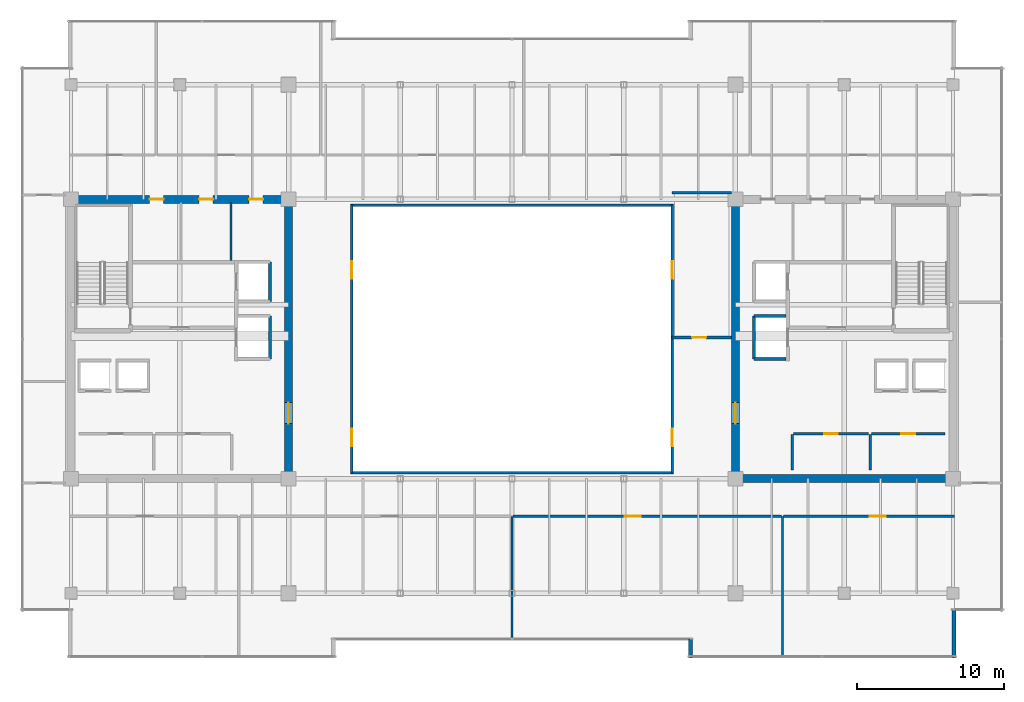
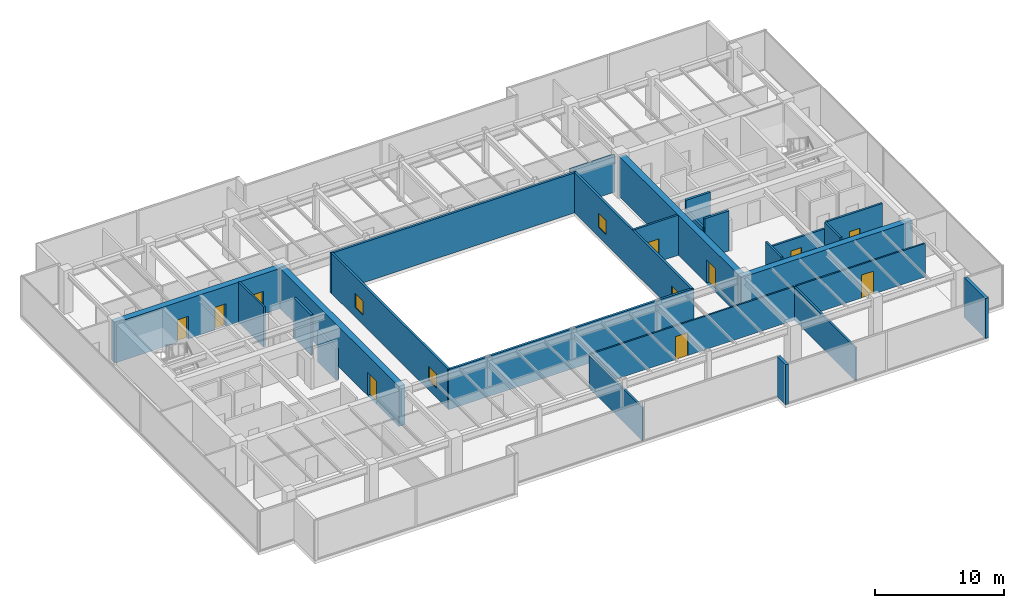
# One storey, part 29 of 36: 26 walls, 10 doors, 4 windows, 14 openings.
"""IFC4 building model written with IfcOpenShell, lengths in metres."""

from ifc_helpers import new_model, si_unit, direction, frame, frame_2d, origin, place, context, subcontext, project, spatial, rectangle, extrude, source, transform, mapped, material, layer, layer_set, type_object, type_shapes, element, fill, save


model = new_model("IFC4")

# Units and contexts
model_context = context("Model", 3, precision=1e-05, world=origin(), true_north=direction((0.0, 1.0)))
body_context = subcontext(model_context, "Body", "Model", "MODEL_VIEW")
ifc_project = project(units=[si_unit("LENGTHUNIT", "METRE"), si_unit("AREAUNIT", "SQUARE_METRE"), si_unit("VOLUMEUNIT", "CUBIC_METRE"), si_unit("PLANEANGLEUNIT", "RADIAN"), si_unit("MASSUNIT", "GRAM", prefix="KILO")], contexts=[model_context])

# Site, building, storey
site_placement = place(None, origin())
site = spatial("IfcSite", under=ifc_project, at=site_placement, CompositionType="ELEMENT")
building_placement = place(site_placement, origin())
building = spatial("IfcBuilding", under=site, at=building_placement, Name="Haelvirn Gate Laboratories", CompositionType="ELEMENT")
storey_placement = place(building_placement, frame((0.0, 0.0, 254.699951171875)))
storey = spatial("IfcBuildingStorey", under=building, at=storey_placement, Name="L61", CompositionType="ELEMENT", Elevation=254.699951171875)

# Walls
ifc_material_1 = material(Name="Thermally-broken bronze aluminium rainscreen & mineral wool", Category="aluminium")
ifc_layer_1 = layer(ifc_material_1, 0.280029296875, Name="EW-TERR-280")
ifc_layer_set_1 = layer_set([ifc_layer_1], Name="Thermally-broken bronze aluminium rainscreen & mineral wool")
wall_type_1 = type_object("IfcWallType", Name="EW-TERR-280", PredefinedType="STANDARD", material=ifc_layer_set_1)
wall_1_placement = place(storey_placement, frame((49.5400390625, 3.89306640625, 0.0), z_axis=(0.0, 0.0, 1.0), x_axis=(0.0, -1.0, 0.0)))
element("IfcWall", 1, at=wall_1_placement, inside=storey, type_object=wall_type_1, Name="L61 Atrium Recess Bronze Return Wall 03", PredefinedType="STANDARD", context=body_context, shape_type="SweptSolid", body=[
    extrude(rectangle(XDim=1.29296875, YDim=0.280029296875, at=frame_2d((0.646484375, 0.0))), origin(), (0.0, 0.0, 1.0), 3.800048828125),
])
wall_2_placement = place(storey_placement, frame((67.4599609375, 2.60009765625, 0.0), z_axis=(0.0, 0.0, 1.0), x_axis=(0.0, 1.0, 0.0)))
element("IfcWall", 2, at=wall_2_placement, inside=storey, type_object=wall_type_1, Name="L61 Atrium Recess Bronze Return Wall 05", PredefinedType="STANDARD", context=body_context, shape_type="SweptSolid", body=[
    extrude(rectangle(XDim=3.287841796875, YDim=0.280029296875, at=frame_2d((1.64404296875, 0.0))), origin(), (0.0, 0.0, 1.0), 3.800048828125),
])
ifc_material_2 = material(Name="Double-layer acoustic gypsum laboratory partition", Category="gypsum")
ifc_layer_2 = layer(ifc_material_2, 0.159912109375, Name="IW-ACOUST-160")
ifc_layer_set_2 = layer_set([ifc_layer_2], Name="Double-layer acoustic gypsum laboratory partition")
wall_type_2 = type_object("IfcWallType", Name="IW-ACOUST-160", PredefinedType="PARTITIONING", material=ifc_layer_set_2)
wall_3_placement = place(storey_placement, frame((37.39990234375, 3.909912109375, 0.0), z_axis=(0.0, 0.0, 1.0), x_axis=(0.0, 1.0, 0.0)))
element("IfcWall", 3, at=wall_3_placement, inside=storey, type_object=wall_type_2, Name="L61 Interior Wall IW-L61-SDIV-02", PredefinedType="PARTITIONING", context=body_context, shape_type="SweptSolid", body=[
    extrude(rectangle(XDim=8.330078125, YDim=0.159912109375, at=frame_2d((4.1650390625, 0.0))), origin(), (0.0, 0.0, 1.0), 3.135009765625),
])
wall_4_placement = place(storey_placement, frame((55.800048828125, 2.7099609375, 0.0), z_axis=(0.0, 0.0, 1.0), x_axis=(0.0, 1.0, 0.0)))
element("IfcWall", 4, at=wall_4_placement, inside=storey, type_object=wall_type_2, Name="L61 Interior Wall IW-L61-SDIV-03", PredefinedType="PARTITIONING", context=body_context, shape_type="SweptSolid", body=[
    extrude(rectangle(XDim=9.530029296875, YDim=0.159912109375, at=frame_2d((4.76513671875, 0.0))), origin(), (0.0, 0.0, 1.0), 3.135009765625),
])
ifc_material_3 = material(Name="Fire-rated acoustic gypsum board partition", Category="gypsum")
ifc_layer_3 = layer(ifc_material_3, 0.175048828125, Name="IW-ACOUST-180")
ifc_layer_set_3 = layer_set([ifc_layer_3], Name="Fire-rated acoustic gypsum board partition")
wall_type_3 = type_object("IfcWallType", Name="IW-ACOUST-180", PredefinedType="PARTITIONING", material=ifc_layer_set_3)
wall_5_placement = place(storey_placement, frame((48.300048828125, 34.260009765625, 0.0), z_axis=(0.0, 0.0, 1.0), x_axis=(1.0, 0.0, 0.0)))
element("IfcWall", 5, at=wall_5_placement, inside=storey, type_object=wall_type_3, Name="L61 Interior Wall IW-L61-EPOD-N", PredefinedType="PARTITIONING", context=body_context, shape_type="SweptSolid", body=[
    extrude(rectangle(XDim=4.02490234375, YDim=0.175048828125, at=frame_2d((2.012451171875, 0.0))), origin(), (0.0, 0.0, 1.0), 3.53515625),
])

# Wall, opening, door
wall_6_placement = place(storey_placement, frame((48.300048828125, 24.39990234375, 0.0), z_axis=(0.0, 0.0, 1.0), x_axis=(1.0, 0.0, 0.0)))
wall_6 = element("IfcWall", 6, at=wall_6_placement, inside=storey, type_object=wall_type_3, Name="L61 Interior Wall IW-L61-EPOD-S", PredefinedType="PARTITIONING", context=body_context, shape_type="SweptSolid", body=[
    extrude(rectangle(XDim=4.02490234375, YDim=0.175048828125, at=frame_2d((2.012451171875, 0.0))), origin(), (0.0, 0.0, 1.0), 3.800048828125),
])
opening_1_placement = place(wall_6_placement, frame((1.35009765625, 0.0, 0.0)))
opening_1 = element("IfcOpeningElement", 7, at=opening_1_placement, cuts=wall_6, Name="Opening FD4", PredefinedType="OPENING", context=body_context, shape_type="SweptSolid", body=[
    extrude(rectangle(XDim=0.949951171875, YDim=2.14990234375, at=frame_2d((0.47509765625, 1.074951171875))), frame((0.0, 0.09765625, 0.0), z_axis=(0.0, -1.0, 0.0), x_axis=(1.0, 0.0, 0.0)), (0.0, 0.0, 1.0), 0.195068359375),
])
ifc_material_4 = material(Name="Fire-rated steel SM355 core service door", Category="steel")
door_type_1 = type_object("IfcDoorType", Name="DR-FD-950", OperationType="NOTDEFINED", PredefinedType="DOOR", material=ifc_material_4)
shared_shape_1 = source(origin(), body_context, "Body", "SweptSolid", [
    extrude(rectangle(XDim=0.949951171875, YDim=2.14990234375, at=frame_2d((0.47509765625, 1.074951171875))), frame((0.0, 0.02490234375, 0.0), z_axis=(0.0, -1.0, 0.0), x_axis=(1.0, 0.0, 0.0)), (0.0, 0.0, 1.0), 0.050048828125),
])
type_shapes(door_type_1, [shared_shape_1])
door_1_placement = place(opening_1_placement, origin())
door_1 = element("IfcDoor", 8, at=door_1_placement, inside=storey, type_object=door_type_1, Name="L61 High-Zone Collaboration Suite Door", OperationType="SINGLE_SWING_LEFT", OverallHeight=2.14990234375, OverallWidth=0.949951171875, PredefinedType="DOOR", context=body_context, shape_type="MappedRepresentation", body=[
    mapped(shared_shape_1, transform((0.0, 0.0, 0.0), scale=1.0)),
])
fill(opening_1, door_1)

# Wall, openings, windows
ifc_material_5 = material(Name="Tempered fire-rated borosilicate glass & anodised aluminium", Category="aluminium")
ifc_layer_4 = layer(ifc_material_5, 0.195068359375, Name="IW-GLAZ-200")
ifc_layer_set_4 = layer_set([ifc_layer_4], Name="Tempered fire-rated borosilicate glass & anodised aluminium")
wall_type_4 = type_object("IfcWallType", Name="IW-GLAZ-200", PredefinedType="SOLIDWALL", material=ifc_layer_set_4)
wall_7_placement = place(storey_placement, frame((26.5, 15.199951171875, 0.0), z_axis=(0.0, 0.0, 1.0), x_axis=(0.0, 1.0, 0.0)))
wall_7 = element("IfcWall", 9, at=wall_7_placement, inside=storey, type_object=wall_type_4, Name="L61 Interior Wall IW-L61-ATRIUM-W", PredefinedType="SOLIDWALL", context=body_context, shape_type="SweptSolid", body=[
    extrude(rectangle(XDim=18.199951171875, YDim=0.195068359375, at=frame_2d((9.10009765625, 0.0))), origin(), (0.0, 0.0, 1.0), 3.800048828125),
])
opening_2_placement = place(wall_7_placement, frame((1.800048828125, 0.0, 0.89990234375)))
opening_2 = element("IfcOpeningElement", 10, at=opening_2_placement, cuts=wall_7, Name="Opening W6", PredefinedType="OPENING", context=body_context, shape_type="SweptSolid", body=[
    extrude(rectangle(XDim=1.199951171875, YDim=1.35009765625, at=frame_2d((0.60009765625, 0.675048828125))), frame((0.0, 0.107421875, 0.0), z_axis=(0.0, -1.0, 0.0), x_axis=(1.0, 0.0, 0.0)), (0.0, 0.0, 1.0), 0.215087890625),
])
opening_3_placement = place(wall_7_placement, frame((13.199951171875, 0.0, 0.89990234375)))
opening_3 = element("IfcOpeningElement", 11, at=opening_3_placement, cuts=wall_7, Name="Opening W6", PredefinedType="OPENING", context=body_context, shape_type="SweptSolid", body=[
    extrude(rectangle(XDim=1.199951171875, YDim=1.35009765625, at=frame_2d((0.60009765625, 0.675048828125))), frame((0.0, 0.107421875, 0.0), z_axis=(0.0, -1.0, 0.0), x_axis=(1.0, 0.0, 0.0)), (0.0, 0.0, 1.0), 0.215087890625),
])
ifc_material_6 = material(Name="Fire-rated EI 120 borosilicate atrium vision glazing", Category="glass")
window_type = type_object("IfcWindowType", Name="WN-ATR-1200", PartitioningType="SINGLE_PANEL", PredefinedType="WINDOW", material=ifc_material_6)
shared_shape_2 = source(origin(), body_context, "Body", "SweptSolid", [
    extrude(rectangle(XDim=1.199951171875, YDim=1.35009765625, at=frame_2d((0.60009765625, 0.675048828125))), frame((0.0, 0.030029296875, 0.0), z_axis=(0.0, -1.0, 0.0), x_axis=(1.0, 0.0, 0.0)), (0.0, 0.0, 1.0), 0.06005859375),
])
type_shapes(window_type, [shared_shape_2])
window_1_placement = place(opening_2_placement, origin())
window_1 = element("IfcWindow", 12, at=window_1_placement, inside=storey, type_object=window_type, Name="L61 Atrium Observation Window 1", OverallHeight=1.35009765625, OverallWidth=1.199951171875, PartitioningType="SINGLE_PANEL", PredefinedType="WINDOW", context=body_context, shape_type="MappedRepresentation", body=[
    mapped(shared_shape_2, transform((0.0, 0.0, 0.0), scale=1.0)),
])
fill(opening_2, window_1)
window_2_placement = place(opening_3_placement, origin())
window_2 = element("IfcWindow", 13, at=window_2_placement, inside=storey, type_object=window_type, Name="L61 Atrium Observation Window 2", OverallHeight=1.35009765625, OverallWidth=1.199951171875, PartitioningType="SINGLE_PANEL", PredefinedType="WINDOW", context=body_context, shape_type="MappedRepresentation", body=[
    mapped(shared_shape_2, transform((0.0, 0.0, 0.0), scale=1.0)),
])
fill(opening_3, window_2)

wall_8_placement = place(storey_placement, frame((48.300048828125, 15.199951171875, 0.0), z_axis=(0.0, 0.0, 1.0), x_axis=(0.0, 1.0, 0.0)))
wall_8 = element("IfcWall", 14, at=wall_8_placement, inside=storey, type_object=wall_type_4, Name="L61 Interior Wall IW-L61-ATRIUM-E", PredefinedType="SOLIDWALL", context=body_context, shape_type="SweptSolid", body=[
    extrude(rectangle(XDim=18.199951171875, YDim=0.195068359375, at=frame_2d((9.10009765625, 0.0))), origin(), (0.0, 0.0, 1.0), 3.800048828125),
])
opening_4_placement = place(wall_8_placement, frame((1.800048828125, 0.0, 0.89990234375)))
opening_4 = element("IfcOpeningElement", 15, at=opening_4_placement, cuts=wall_8, Name="Opening W6", PredefinedType="OPENING", context=body_context, shape_type="SweptSolid", body=[
    extrude(rectangle(XDim=1.199951171875, YDim=1.35009765625, at=frame_2d((0.60009765625, 0.675048828125))), frame((0.0, 0.107421875, 0.0), z_axis=(0.0, -1.0, 0.0), x_axis=(1.0, 0.0, 0.0)), (0.0, 0.0, 1.0), 0.215087890625),
])
opening_5_placement = place(wall_8_placement, frame((13.199951171875, 0.0, 0.89990234375)))
opening_5 = element("IfcOpeningElement", 16, at=opening_5_placement, cuts=wall_8, Name="Opening W6", PredefinedType="OPENING", context=body_context, shape_type="SweptSolid", body=[
    extrude(rectangle(XDim=1.199951171875, YDim=1.35009765625, at=frame_2d((0.60009765625, 0.675048828125))), frame((0.0, 0.107421875, 0.0), z_axis=(0.0, -1.0, 0.0), x_axis=(1.0, 0.0, 0.0)), (0.0, 0.0, 1.0), 0.215087890625),
])
window_3_placement = place(opening_4_placement, origin())
window_3 = element("IfcWindow", 17, at=window_3_placement, inside=storey, type_object=window_type, Name="L61 Atrium Observation Window 1", OverallHeight=1.35009765625, OverallWidth=1.199951171875, PartitioningType="SINGLE_PANEL", PredefinedType="WINDOW", context=body_context, shape_type="MappedRepresentation", body=[
    mapped(shared_shape_2, transform((0.0, 0.0, 0.0), scale=1.0)),
])
fill(opening_4, window_3)
window_4_placement = place(opening_5_placement, origin())
window_4 = element("IfcWindow", 18, at=window_4_placement, inside=storey, type_object=window_type, Name="L61 Atrium Observation Window 2", OverallHeight=1.35009765625, OverallWidth=1.199951171875, PartitioningType="SINGLE_PANEL", PredefinedType="WINDOW", context=body_context, shape_type="MappedRepresentation", body=[
    mapped(shared_shape_2, transform((0.0, 0.0, 0.0), scale=1.0)),
])
fill(opening_5, window_4)

# Walls
for number, where, z_axis, x_axis, name in (
    (19, (26.39990234375, 15.199951171875, 0.0), (0.0, 0.0, 1.0), (1.0, 0.0, 0.0), "L61 Interior Wall IW-L61-ATRIUM-S"),
    (20, (26.39990234375, 33.39990234375, 0.0), (0.0, 0.0, 1.0), (1.0, 0.0, 0.0), "L61 Interior Wall IW-L61-ATRIUM-N"),
):
    element("IfcWall", number, at=place(storey_placement, frame(where, z_axis=z_axis, x_axis=x_axis)), inside=storey, type_object=wall_type_4, Name=name, PredefinedType="SOLIDWALL", context=body_context, shape_type="SweptSolid", body=[
        extrude(rectangle(XDim=22.0, YDim=0.195068359375, at=frame_2d((11.0, 0.0))), origin(), (0.0, 0.0, 1.0), 3.800048828125),
    ])

# Wall, opening, door
ifc_material_7 = material(Name="Acoustic mineral-wool gypsum board partition", Category="gypsum")
ifc_layer_5 = layer(ifc_material_7, 0.139892578125, Name="IW-PART-140")
ifc_layer_set_5 = layer_set([ifc_layer_5], Name="Acoustic mineral-wool gypsum board partition")
wall_type_5 = type_object("IfcWallType", Name="IW-PART-140", PredefinedType="PARTITIONING", material=ifc_layer_set_5)
wall_9_placement = place(storey_placement, frame((37.47998046875, 12.239990234375, 0.0), z_axis=(0.0, 0.0, 1.0), x_axis=(1.0, 0.0, 0.0)))
wall_9 = element("IfcWall", 21, at=wall_9_placement, inside=storey, type_object=wall_type_5, Name="L61 Interior Wall IW-L61-SCORR-03", PredefinedType="PARTITIONING", context=body_context, shape_type="SweptSolid", body=[
    extrude(rectangle(XDim=18.239990234375, YDim=0.139892578125, at=frame_2d((9.1201171875, 0.0))), origin(), (0.0, 0.0, 1.0), 3.197021484375),
])
opening_6_placement = place(wall_9_placement, frame((7.58349609375, 0.0, 0.0)))
opening_6 = element("IfcOpeningElement", 22, at=opening_6_placement, cuts=wall_9, Name="Opening D1", PredefinedType="OPENING", context=body_context, shape_type="SweptSolid", body=[
    extrude(rectangle(XDim=1.10009765625, YDim=2.179931640625, at=frame_2d((0.550048828125, 1.08984375))), frame((0.0, 0.080078125, 0.0), z_axis=(0.0, -1.0, 0.0), x_axis=(1.0, 0.0, 0.0)), (0.0, 0.0, 1.0), 0.159912109375),
])
ifc_material_8 = material(Name="Vision-panel acoustic solid-core timber lab door", Category="wood")
door_type_2 = type_object("IfcDoorType", Name="DR-LAB-1100", OperationType="NOTDEFINED", PredefinedType="DOOR", material=ifc_material_8)
shared_shape_3 = source(origin(), body_context, "Body", "SweptSolid", [
    extrude(rectangle(XDim=1.10009765625, YDim=2.179931640625, at=frame_2d((0.550048828125, 1.08984375))), frame((0.0, 0.02490234375, 0.0), z_axis=(0.0, -1.0, 0.0), x_axis=(1.0, 0.0, 0.0)), (0.0, 0.0, 1.0), 0.050048828125),
])
type_shapes(door_type_2, [shared_shape_3])
door_2_placement = place(opening_6_placement, origin())
door_2 = element("IfcDoor", 23, at=door_2_placement, inside=storey, type_object=door_type_2, Name="L61 Laser-Safety Consult Room Door S3", OperationType="SINGLE_SWING_RIGHT", OverallHeight=2.179931640625, OverallWidth=1.10009765625, PredefinedType="DOOR", context=body_context, shape_type="MappedRepresentation", body=[
    mapped(shared_shape_3, transform((0.0, 0.0, 0.0), scale=1.0)),
])
fill(opening_6, door_2)

wall_10_placement = place(storey_placement, frame((55.8798828125, 12.239990234375, 0.0), z_axis=(0.0, 0.0, 1.0), x_axis=(1.0, 0.0, 0.0)))
wall_10 = element("IfcWall", 24, at=wall_10_placement, inside=storey, type_object=wall_type_5, Name="L61 Interior Wall IW-L61-SCORR-04", PredefinedType="PARTITIONING", context=body_context, shape_type="SweptSolid", body=[
    extrude(rectangle(XDim=11.610107421875, YDim=0.139892578125, at=frame_2d((5.80517578125, 0.0))), origin(), (0.0, 0.0, 1.0), 3.197021484375),
])
opening_7_placement = place(wall_10_placement, frame((5.843505859375, 0.0, 0.0)))
opening_7 = element("IfcOpeningElement", 25, at=opening_7_placement, cuts=wall_10, Name="Opening D1", PredefinedType="OPENING", context=body_context, shape_type="SweptSolid", body=[
    extrude(rectangle(XDim=1.10009765625, YDim=2.179931640625, at=frame_2d((0.550048828125, 1.08984375))), frame((0.0, 0.080078125, 0.0), z_axis=(0.0, -1.0, 0.0), x_axis=(1.0, 0.0, 0.0)), (0.0, 0.0, 1.0), 0.159912109375),
])
door_3_placement = place(opening_7_placement, origin())
door_3 = element("IfcDoor", 26, at=door_3_placement, inside=storey, type_object=door_type_2, Name="L61 Occupational Biosafety Clinic Door S4", OperationType="SINGLE_SWING_LEFT", OverallHeight=2.179931640625, OverallWidth=1.10009765625, PredefinedType="DOOR", context=body_context, shape_type="MappedRepresentation", body=[
    mapped(shared_shape_3, transform((0.0, 0.0, 0.0), scale=1.0)),
])
fill(opening_7, door_3)

# Wall
ifc_material_9 = material(Name="Cement-board restroom plumbing chase wall", Category="gypsum")
ifc_layer_6 = layer(ifc_material_9, 0.155029296875, Name="IW-PLUMB-160")
ifc_layer_set_6 = layer_set([ifc_layer_6], Name="Cement-board restroom plumbing chase wall")
wall_type_6 = type_object("IfcWallType", Name="IW-PLUMB-160", PredefinedType="PLUMBINGWALL", material=ifc_layer_set_6)
wall_11_placement = place(storey_placement, frame((18.2900390625, 29.64990234375, 0.0), z_axis=(0.0, 0.0, 1.0), x_axis=(0.0, 1.0, 0.0)))
element("IfcWall", 27, at=wall_11_placement, inside=storey, type_object=wall_type_6, Name="L61 Interior Wall IW-L61-W-CDIV-2", PredefinedType="PLUMBINGWALL", context=body_context, shape_type="SweptSolid", body=[
    extrude(rectangle(XDim=3.93017578125, YDim=0.155029296875, at=frame_2d((1.965087890625, 0.0))), origin(), (0.0, 0.0, 1.0), 3.800048828125),
])

# Wall, opening, door
ifc_material_10 = material(Name="Concrete C40/50", Category="concrete")
ifc_layer_7 = layer(ifc_material_10, 0.179931640625, Name="IW-SHAFT-180")
ifc_layer_set_7 = layer_set([ifc_layer_7], Name="Concrete C40/50")
wall_type_7 = type_object("IfcWallType", Name="IW-SHAFT-180", PredefinedType="SOLIDWALL", material=ifc_layer_set_7)
wall_12_placement = place(storey_placement, frame((61.85009765625, 17.85009765625, 0.0), z_axis=(0.0, 0.0, 1.0), x_axis=(1.0, 0.0, 0.0)))
wall_12 = element("IfcWall", 28, at=wall_12_placement, inside=storey, type_object=wall_type_7, Name="L61 Interior Wall IW-L61-E-FREED-HN-1", PredefinedType="SOLIDWALL", context=body_context, shape_type="SweptSolid", body=[
    extrude(rectangle(XDim=5.0, YDim=0.179931640625, at=frame_2d((2.5, 0.0))), origin(), (0.0, 0.0, 1.0), 3.800048828125),
])
opening_8_placement = place(wall_12_placement, frame((2.02490234375, 0.0, 0.0)))
opening_8 = element("IfcOpeningElement", 29, at=opening_8_placement, cuts=wall_12, Name="Opening FD4", PredefinedType="OPENING", context=body_context, shape_type="SweptSolid", body=[
    extrude(rectangle(XDim=0.949951171875, YDim=2.14990234375, at=frame_2d((0.47509765625, 1.074951171875))), frame((0.0, 0.10009765625, 0.0), z_axis=(0.0, -1.0, 0.0), x_axis=(1.0, 0.0, 0.0)), (0.0, 0.0, 1.0), 0.199951171875),
])
door_4_placement = place(opening_8_placement, origin())
door_4 = element("IfcDoor", 30, at=door_4_placement, inside=storey, type_object=door_type_1, Name="L61 Cryogenic Specimen Biobank Door", OperationType="SINGLE_SWING_LEFT", OverallHeight=2.14990234375, OverallWidth=0.949951171875, PredefinedType="DOOR", context=body_context, shape_type="MappedRepresentation", body=[
    mapped(shared_shape_1, transform((0.0, 0.0, 0.0), scale=1.0)),
])
fill(opening_8, door_4)

# Wall
wall_13_placement = place(storey_placement, frame((61.760009765625, 15.39990234375, 0.0), z_axis=(0.0, 0.0, 1.0), x_axis=(0.0, 1.0, 0.0)))
element("IfcWall", 31, at=wall_13_placement, inside=storey, type_object=wall_type_7, Name="L61 Interior Wall IW-L61-E-FREED-HE-1", PredefinedType="SOLIDWALL", context=body_context, shape_type="SweptSolid", body=[
    extrude(rectangle(XDim=2.400146484375, YDim=0.179931640625, at=frame_2d((1.2001953125, 0.0))), origin(), (0.0, 0.0, 1.0), 3.800048828125),
])

# Wall, opening, door
wall_14_placement = place(storey_placement, frame((56.550048828125, 17.85009765625, 0.0), z_axis=(0.0, 0.0, 1.0), x_axis=(1.0, 0.0, 0.0)))
wall_14 = element("IfcWall", 32, at=wall_14_placement, inside=storey, type_object=wall_type_7, Name="L61 Interior Wall IW-L61-E-FREED-HN-2", PredefinedType="SOLIDWALL", context=body_context, shape_type="SweptSolid", body=[
    extrude(rectangle(XDim=5.099853515625, YDim=0.179931640625, at=frame_2d((2.5498046875, 0.0))), origin(), (0.0, 0.0, 1.0), 3.197021484375),
])
opening_9_placement = place(wall_14_placement, frame((2.074951171875, 0.0, 0.0)))
opening_9 = element("IfcOpeningElement", 33, at=opening_9_placement, cuts=wall_14, Name="Opening FD4", PredefinedType="OPENING", context=body_context, shape_type="SweptSolid", body=[
    extrude(rectangle(XDim=0.949951171875, YDim=2.14990234375, at=frame_2d((0.47509765625, 1.074951171875))), frame((0.0, 0.10009765625, 0.0), z_axis=(0.0, -1.0, 0.0), x_axis=(1.0, 0.0, 0.0)), (0.0, 0.0, 1.0), 0.199951171875),
])
door_5_placement = place(opening_9_placement, origin())
door_5 = element("IfcDoor", 34, at=door_5_placement, inside=storey, type_object=door_type_1, Name="L61 Cryo-Assay Preparation Laboratory Door", OperationType="SINGLE_SWING_RIGHT", OverallHeight=2.14990234375, OverallWidth=0.949951171875, PredefinedType="DOOR", context=body_context, shape_type="MappedRepresentation", body=[
    mapped(shared_shape_1, transform((0.0, 0.0, 0.0), scale=1.0)),
])
fill(opening_9, door_5)

# Walls
wall_15_placement = place(storey_placement, frame((56.4599609375, 15.39990234375, 0.0), z_axis=(0.0, 0.0, 1.0), x_axis=(0.0, 1.0, 0.0)))
element("IfcWall", 35, at=wall_15_placement, inside=storey, type_object=wall_type_7, Name="L61 Interior Wall IW-L61-E-FREED-HE-2", PredefinedType="SOLIDWALL", context=body_context, shape_type="SweptSolid", body=[
    extrude(rectangle(XDim=2.400146484375, YDim=0.179931640625, at=frame_2d((1.2001953125, 0.0))), origin(), (0.0, 0.0, 1.0), 3.800048828125),
])
ifc_layer_8 = layer(ifc_material_10, 0.199951171875, Name="IW-SHAFT-200")
ifc_layer_set_8 = layer_set([ifc_layer_8], Name="Concrete C40/50")
wall_type_8 = type_object("IfcWallType", Name="IW-SHAFT-200", PredefinedType="SOLIDWALL", material=ifc_layer_set_8)
wall_16_placement = place(storey_placement, frame((20.949951171875, 26.85009765625, 0.0), z_axis=(0.0, 0.0, 1.0), x_axis=(0.0, 1.0, 0.0)))
element("IfcWall", 36, at=wall_16_placement, inside=storey, type_object=wall_type_8, Name="L61 Interior Wall IW-L61-FL1-BK", PredefinedType="SOLIDWALL", context=body_context, shape_type="SweptSolid", body=[
    extrude(rectangle(XDim=2.699951171875, YDim=0.199951171875, at=frame_2d((1.35009765625, 0.0))), origin(), (0.0, 0.0, 1.0), 3.800048828125),
])
for number, where, z_axis, x_axis, name in (
    (37, (20.949951171875, 22.949951171875, 0.0), (0.0, 0.0, 1.0), (0.0, 1.0, 0.0), "L61 Interior Wall IW-L61-SL1-BK"),
    (38, (53.85009765625, 22.949951171875, 0.0), (0.0, 0.0, 1.0), (0.0, 1.0, 0.0), "L61 Interior Wall IW-L61-SL2-BK"),
):
    element("IfcWall", number, at=place(storey_placement, frame(where, z_axis=z_axis, x_axis=x_axis)), inside=storey, type_object=wall_type_8, Name=name, PredefinedType="SOLIDWALL", context=body_context, shape_type="SweptSolid", body=[
        extrude(rectangle(XDim=2.900146484375, YDim=0.199951171875, at=frame_2d((1.4501953125, 0.0))), origin(), (0.0, 0.0, 1.0), 2.93505859375),
    ])
for number, where, z_axis, x_axis, name in (
    (39, (53.85009765625, 25.85009765625, 0.0), (0.0, 0.0, 1.0), (1.0, 0.0, 0.0), "L61 Interior Wall IW-L61-SL2-N"),
    (40, (53.85009765625, 22.949951171875, 0.0), (0.0, 0.0, 1.0), (1.0, 0.0, 0.0), "L61 Interior Wall IW-L61-SL2-S"),
):
    element("IfcWall", number, at=place(storey_placement, frame(where, z_axis=z_axis, x_axis=x_axis)), inside=storey, type_object=wall_type_8, Name=name, PredefinedType="SOLIDWALL", context=body_context, shape_type="SweptSolid", body=[
        extrude(rectangle(XDim=2.18994140625, YDim=0.199951171875, at=frame_2d((1.094970703125, 0.0))), origin(), (0.0, 0.0, 1.0), 3.800048828125),
    ])

# Wall, openings, doors
ifc_material_11 = material(Name="Concrete C50/60", Category="concrete")
ifc_layer_9 = layer(ifc_material_11, 0.550048828125, Name="SW-CORE-550")
ifc_layer_set_9 = layer_set([ifc_layer_9], Name="Concrete C50/60")
wall_type_9 = type_object("IfcWallType", Name="SW-CORE-550", PredefinedType="SHEAR", material=ifc_layer_set_9)
wall_17_placement = place(storey_placement, frame((7.125, 33.800048828125, 0.0), z_axis=(0.0, 0.0, 1.0), x_axis=(1.0, 0.0, 0.0)))
wall_17 = element("IfcWall", 41, at=wall_17_placement, inside=storey, type_object=wall_type_9, Name="L61 W Core Shear Wall N", PredefinedType="SHEAR", context=body_context, shape_type="SweptSolid", body=[
    extrude(rectangle(XDim=15.35009765625, YDim=0.550048828125, at=frame_2d((7.675048828125, 0.0))), origin(), (0.0, 0.0, 1.0), 3.800048828125),
])
opening_10_placement = place(wall_17_placement, frame((5.625, 0.0, 0.0)))
opening_10 = element("IfcOpeningElement", 42, at=opening_10_placement, cuts=wall_17, Name="Opening FD4", PredefinedType="OPENING", context=body_context, shape_type="SweptSolid", body=[
    extrude(rectangle(XDim=0.949951171875, YDim=2.14990234375, at=frame_2d((0.47509765625, 1.074951171875))), frame((0.0, 0.28515625, 0.0), z_axis=(0.0, -1.0, 0.0), x_axis=(1.0, 0.0, 0.0)), (0.0, 0.0, 1.0), 0.570068359375),
])
opening_11_placement = place(wall_17_placement, frame((8.989990234375, 0.0, 0.0)))
opening_11 = element("IfcOpeningElement", 43, at=opening_11_placement, cuts=wall_17, Name="Opening FD4", PredefinedType="OPENING", context=body_context, shape_type="SweptSolid", body=[
    extrude(rectangle(XDim=0.949951171875, YDim=2.14990234375, at=frame_2d((0.47509765625, 1.074951171875))), frame((0.0, 0.28515625, 0.0), z_axis=(0.0, -1.0, 0.0), x_axis=(1.0, 0.0, 0.0)), (0.0, 0.0, 1.0), 0.570068359375),
])
opening_12_placement = place(wall_17_placement, frame((12.389892578125, 0.0, 0.0)))
opening_12 = element("IfcOpeningElement", 44, at=opening_12_placement, cuts=wall_17, Name="Opening FD4", PredefinedType="OPENING", context=body_context, shape_type="SweptSolid", body=[
    extrude(rectangle(XDim=0.949951171875, YDim=2.14990234375, at=frame_2d((0.47509765625, 1.074951171875))), frame((0.0, 0.28515625, 0.0), z_axis=(0.0, -1.0, 0.0), x_axis=(1.0, 0.0, 0.0)), (0.0, 0.0, 1.0), 0.570068359375),
])
door_6_placement = place(opening_10_placement, origin())
door_6 = element("IfcDoor", 45, at=door_6_placement, inside=storey, type_object=door_type_1, Name="L61 Male Restroom Fire Door", OperationType="SINGLE_SWING_RIGHT", OverallHeight=2.14990234375, OverallWidth=0.949951171875, PredefinedType="DOOR", context=body_context, shape_type="MappedRepresentation", body=[
    mapped(shared_shape_1, transform((0.0, 0.0, 0.0), scale=1.0)),
])
fill(opening_10, door_6)
door_7_placement = place(opening_11_placement, origin())
door_7 = element("IfcDoor", 46, at=door_7_placement, inside=storey, type_object=door_type_1, Name="L61 Female Restroom Fire Door", OperationType="SINGLE_SWING_LEFT", OverallHeight=2.14990234375, OverallWidth=0.949951171875, PredefinedType="DOOR", context=body_context, shape_type="MappedRepresentation", body=[
    mapped(shared_shape_1, transform((0.0, 0.0, 0.0), scale=1.0)),
])
fill(opening_11, door_7)
door_8_placement = place(opening_12_placement, origin())
door_8 = element("IfcDoor", 47, at=door_8_placement, inside=storey, type_object=door_type_1, Name="L61 Accessible Restroom Fire Door", OperationType="SINGLE_SWING_RIGHT", OverallHeight=2.14990234375, OverallWidth=0.949951171875, PredefinedType="DOOR", context=body_context, shape_type="MappedRepresentation", body=[
    mapped(shared_shape_1, transform((0.0, 0.0, 0.0), scale=1.0)),
])
fill(opening_12, door_8)

# Wall, opening, door
wall_18_placement = place(storey_placement, frame((22.199951171875, 15.074951171875, 0.0), z_axis=(0.0, 0.0, 1.0), x_axis=(0.0, 1.0, 0.0)))
wall_18 = element("IfcWall", 48, at=wall_18_placement, inside=storey, type_object=wall_type_9, Name="L61 W Core Shear Wall E", PredefinedType="SHEAR", context=body_context, shape_type="SweptSolid", body=[
    extrude(rectangle(XDim=18.449951171875, YDim=0.550048828125, at=frame_2d((9.22509765625, 0.0))), origin(), (0.0, 0.0, 1.0), 3.800048828125),
])
opening_13_placement = place(wall_18_placement, frame((3.47509765625, 0.0, 0.0)))
opening_13 = element("IfcOpeningElement", 49, at=opening_13_placement, cuts=wall_18, Name="Opening FD1", PredefinedType="OPENING", context=body_context, shape_type="SweptSolid", body=[
    extrude(rectangle(XDim=1.419921875, YDim=2.199951171875, at=frame_2d((0.7099609375, 1.10009765625))), frame((0.0, 0.28515625, 0.0), z_axis=(0.0, -1.0, 0.0), x_axis=(1.0, 0.0, 0.0)), (0.0, 0.0, 1.0), 0.570068359375),
])
ifc_material_12 = material(Name="Fire-rated double steel SM355 lobby door", Category="steel")
door_type_3 = type_object("IfcDoorType", Name="DR-FD-1400", OperationType="NOTDEFINED", PredefinedType="DOOR", material=ifc_material_12)
shared_shape_4 = source(origin(), body_context, "Body", "SweptSolid", [
    extrude(rectangle(XDim=1.419921875, YDim=2.199951171875, at=frame_2d((0.7099609375, 1.10009765625))), frame((0.0, 0.02490234375, 0.0), z_axis=(0.0, -1.0, 0.0), x_axis=(1.0, 0.0, 0.0)), (0.0, 0.0, 1.0), 0.050048828125),
])
type_shapes(door_type_3, [shared_shape_4])
door_9_placement = place(opening_13_placement, origin())
door_9 = element("IfcDoor", 50, at=door_9_placement, inside=storey, type_object=door_type_3, Name="L61 West Core Lift Lobby Fire Door", OperationType="DOUBLE_DOOR_SINGLE_SWING", OverallHeight=2.199951171875, OverallWidth=1.419921875, PredefinedType="DOOR", context=body_context, shape_type="MappedRepresentation", body=[
    mapped(shared_shape_4, transform((0.0, 0.0, 0.0), scale=1.0)),
])
fill(opening_13, door_9)

# Wall
wall_19_placement = place(storey_placement, frame((52.324951171875, 14.800048828125, 0.0), z_axis=(0.0, 0.0, 1.0), x_axis=(1.0, 0.0, 0.0)))
element("IfcWall", 51, at=wall_19_placement, inside=storey, type_object=wall_type_9, Name="L61 E Core Shear Wall S", PredefinedType="SHEAR", context=body_context, shape_type="SweptSolid", body=[
    extrude(rectangle(XDim=15.35009765625, YDim=0.550048828125, at=frame_2d((7.675048828125, 0.0))), origin(), (0.0, 0.0, 1.0), 3.800048828125),
])

# Wall, opening, door
wall_20_placement = place(storey_placement, frame((52.60009765625, 15.074951171875, 0.0), z_axis=(0.0, 0.0, 1.0), x_axis=(0.0, 1.0, 0.0)))
wall_20 = element("IfcWall", 52, at=wall_20_placement, inside=storey, type_object=wall_type_9, Name="L61 E Core Shear Wall W", PredefinedType="SHEAR", context=body_context, shape_type="SweptSolid", body=[
    extrude(rectangle(XDim=18.449951171875, YDim=0.550048828125, at=frame_2d((9.22509765625, 0.0))), origin(), (0.0, 0.0, 1.0), 3.800048828125),
])
opening_14_placement = place(wall_20_placement, frame((3.47509765625, 0.0, 0.0)))
opening_14 = element("IfcOpeningElement", 53, at=opening_14_placement, cuts=wall_20, Name="Opening FD1", PredefinedType="OPENING", context=body_context, shape_type="SweptSolid", body=[
    extrude(rectangle(XDim=1.419921875, YDim=2.199951171875, at=frame_2d((0.7099609375, 1.10009765625))), frame((0.0, 0.28515625, 0.0), z_axis=(0.0, -1.0, 0.0), x_axis=(1.0, 0.0, 0.0)), (0.0, 0.0, 1.0), 0.570068359375),
])
door_10_placement = place(opening_14_placement, origin())
door_10 = element("IfcDoor", 54, at=door_10_placement, inside=storey, type_object=door_type_3, Name="L61 East Core Lift Lobby Fire Door", OperationType="DOUBLE_DOOR_SINGLE_SWING", OverallHeight=2.199951171875, OverallWidth=1.419921875, PredefinedType="DOOR", context=body_context, shape_type="MappedRepresentation", body=[
    mapped(shared_shape_4, transform((0.0, 0.0, 0.0), scale=1.0)),
])
fill(opening_14, door_10)

save(model, "model.ifc")
